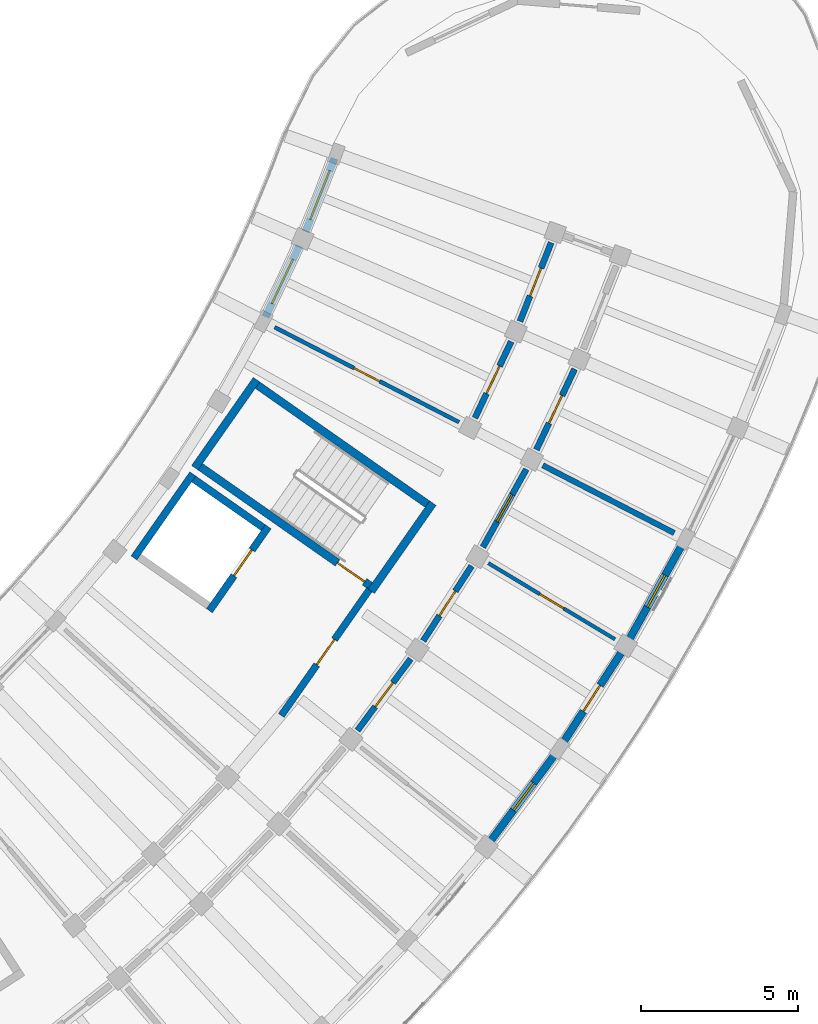
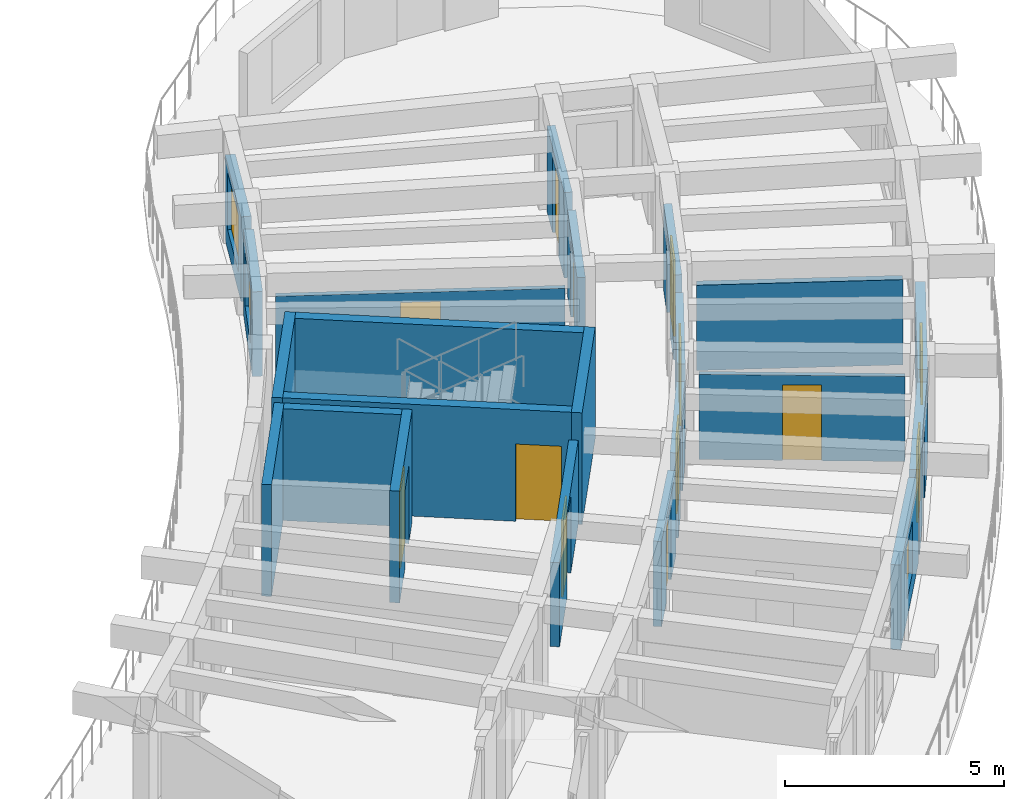
# One storey, part 54 of 81: 22 walls, 12 doors, 4 windows, 16 openings.
"""IFC4 building model written with IfcOpenShell, lengths in metres."""

from ifc_helpers import new_model, si_unit, direction, frame, frame_2d, origin, place, context, subcontext, project, spatial, rectangle, extrude, material, layer, layer_set, type_object, element, fill, save


model = new_model("IFC4")

# Units and contexts
model_context = context("Model", 3, precision=1e-05, world=origin(), true_north=direction((0.0, 1.0)))
body_context = subcontext(model_context, "Body", "Model", "MODEL_VIEW")
ifc_project = project(units=[si_unit("LENGTHUNIT", "METRE"), si_unit("AREAUNIT", "SQUARE_METRE"), si_unit("VOLUMEUNIT", "CUBIC_METRE"), si_unit("PLANEANGLEUNIT", "RADIAN"), si_unit("MASSUNIT", "GRAM", prefix="KILO")], contexts=[model_context])

# Site, building, storey
site_placement = place(None, origin())
site = spatial("IfcSite", under=ifc_project, at=site_placement, CompositionType="ELEMENT")
building_placement = place(site_placement, origin())
building = spatial("IfcBuilding", under=site, at=building_placement, Name="Tanwirah Colonnade Gardens", CompositionType="ELEMENT")
storey_placement = place(building_placement, frame((0.0, 0.0, 18.919921875)))
storey = spatial("IfcBuildingStorey", under=building, at=storey_placement, Name="L05", CompositionType="ELEMENT", Elevation=18.919921875)

# Wall, opening, window
ifc_material_1 = material(Name="Limestone architectural precast concrete C40/50", Category="masonry")
ifc_layer_1 = layer(ifc_material_1, 0.239990234375)
ifc_layer_set_1 = layer_set([ifc_layer_1], Name="Limestone architectural precast concrete C40/50")
wall_type_1 = type_object("IfcWallType", Name="EW-PC240", PredefinedType="SOLIDWALL", material=ifc_layer_set_1)
wall_1_placement = place(storey_placement, frame((167.75341796875, 27.6298828125, 0.0), z_axis=(0.0, 0.0, 1.0), x_axis=(0.596611432616, 0.802530247699, 0.0)))
wall_1 = element("IfcWall", 1, at=wall_1_placement, inside=storey, type_object=wall_type_1, Name="Block D L05 OUT Precast Facade Wall 10", PredefinedType="SOLIDWALL", context=body_context, shape_type="SweptSolid", body=[
    extrude(rectangle(XDim=3.48681640625, YDim=0.239990234375, at=frame_2d((1.743408203125, 0.0))), origin(), (0.0, 0.0, 1.0), 2.35498046875),
])
opening_1_placement = place(wall_1_placement, frame((1.203369140625, 0.0, 0.550048828125)))
opening_1 = element("IfcOpeningElement", 2, at=opening_1_placement, cuts=wall_1, Name="Opening WIN-T15", PredefinedType="OPENING", context=body_context, shape_type="SweptSolid", body=[
    extrude(rectangle(XDim=1.080078125, YDim=1.449951171875, at=frame_2d((0.5400390625, 0.72509765625))), frame((0.0, 0.1298828125, 0.0), z_axis=(0.0, -1.0, 0.0), x_axis=(1.0, 0.0, 0.0)), (0.0, 0.0, 1.0), 0.260009765625),
])
ifc_material_2 = material(Name="Thermally broken bronze aluminium and solar low-E double glazing", Category="aluminium")
window_type_1 = type_object("IfcWindowType", Name="WIN-T15", PartitioningType="SINGLE_PANEL", PredefinedType="WINDOW", material=ifc_material_2)
window_1_placement = place(opening_1_placement, origin())
window_1 = element("IfcWindow", 3, at=window_1_placement, inside=storey, type_object=window_type_1, Name="Facade window D-L05-OUT-10", OverallHeight=1.449951171875, OverallWidth=1.080078125, PartitioningType="SINGLE_PANEL", PredefinedType="WINDOW", context=body_context, shape_type="SweptSolid", body=[
    extrude(rectangle(XDim=1.080078125, YDim=1.449951171875, at=frame_2d((0.5400390625, 0.72509765625))), frame((0.0, 0.030029296875, 0.0), z_axis=(0.0, -1.0, 0.0), x_axis=(1.0, 0.0, 0.0)), (0.0, 0.0, 1.0), 0.06005859375),
])
fill(opening_1, window_1)

# Wall, opening, door
wall_2_placement = place(storey_placement, frame((170.015869140625, 30.691162109375, 0.0), z_axis=(0.0, 0.0, 1.0), x_axis=(0.542833164741, 0.839840553472, 0.0)))
wall_2 = element("IfcWall", 4, at=wall_2_placement, inside=storey, type_object=wall_type_1, Name="Block D L05 OUT Precast Facade Wall 11", PredefinedType="SOLIDWALL", context=body_context, shape_type="SweptSolid", body=[
    extrude(rectangle(XDim=3.48681640625, YDim=0.239990234375, at=frame_2d((1.743408203125, 0.0))), origin(), (0.0, 0.0, 1.0), 2.35498046875),
])
opening_2_placement = place(wall_2_placement, frame((1.25341796875, 0.0, 0.0)))
opening_2 = element("IfcOpeningElement", 5, at=opening_2_placement, cuts=wall_2, Name="Opening L05-ED201", PredefinedType="OPENING", context=body_context, shape_type="SweptSolid", body=[
    extrude(rectangle(XDim=0.97998046875, YDim=2.1201171875, at=frame_2d((0.489990234375, 1.06005859375))), frame((0.0, 0.1298828125, 0.0), z_axis=(0.0, -1.0, 0.0), x_axis=(1.0, 0.0, 0.0)), (0.0, 0.0, 1.0), 0.260009765625),
])
ifc_material_3 = material(Name="Bronze aluminium glazed balcony door", Category="aluminium")
door_type_1 = type_object("IfcDoorType", Name="ED-BAL098", OperationType="NOTDEFINED", PredefinedType="DOOR", material=ifc_material_3)
door_1_placement = place(opening_2_placement, origin())
door_1 = element("IfcDoor", 6, at=door_1_placement, inside=storey, type_object=door_type_1, Name="Balcony glazed door L05-ED201", OperationType="SINGLE_SWING_LEFT", OverallHeight=2.1201171875, OverallWidth=0.97998046875, PredefinedType="DOOR", context=body_context, shape_type="SweptSolid", body=[
    extrude(rectangle(XDim=0.97998046875, YDim=2.1201171875, at=frame_2d((0.489990234375, 1.06005859375))), frame((0.0, 0.02490234375, 0.0), z_axis=(0.0, -1.0, 0.0), x_axis=(1.0, 0.0, 0.0)), (0.0, 0.0, 1.0), 0.050048828125),
])
fill(opening_2, door_1)

# Wall, opening, window
wall_3_placement = place(storey_placement, frame((172.166015625, 34.0478515625, 0.0), z_axis=(0.0, 0.0, 1.0), x_axis=(0.486706738221, 0.87356542455, 0.0)))
wall_3 = element("IfcWall", 7, at=wall_3_placement, inside=storey, type_object=wall_type_1, Name="Block D L05 OUT Precast Facade Wall 12", PredefinedType="SOLIDWALL", context=body_context, shape_type="SweptSolid", body=[
    extrude(rectangle(XDim=3.48681640625, YDim=0.239990234375, at=frame_2d((1.743408203125, 0.0))), origin(), (0.0, 0.0, 1.0), 2.35498046875),
])
opening_3_placement = place(wall_3_placement, frame((1.163330078125, 0.0, 0.550048828125)))
opening_3 = element("IfcOpeningElement", 8, at=opening_3_placement, cuts=wall_3, Name="Opening WIN-U01", PredefinedType="OPENING", context=body_context, shape_type="SweptSolid", body=[
    extrude(rectangle(XDim=1.159912109375, YDim=1.485107421875, at=frame_2d((0.580078125, 0.74267578125))), frame((0.0, 0.1298828125, 0.0), z_axis=(0.0, -1.0, 0.0), x_axis=(1.0, 0.0, 0.0)), (0.0, 0.0, 1.0), 0.260009765625),
])
window_type_2 = type_object("IfcWindowType", Name="WIN-U01", PartitioningType="DOUBLE_PANEL_VERTICAL", PredefinedType="WINDOW", material=ifc_material_2)
window_2_placement = place(opening_3_placement, origin())
window_2 = element("IfcWindow", 9, at=window_2_placement, inside=storey, type_object=window_type_2, Name="Facade window D-L05-OUT-12", OverallHeight=1.485107421875, OverallWidth=1.159912109375, PartitioningType="SINGLE_PANEL", PredefinedType="WINDOW", context=body_context, shape_type="SweptSolid", body=[
    extrude(rectangle(XDim=1.159912109375, YDim=1.485107421875, at=frame_2d((0.580078125, 0.74267578125))), frame((0.0, 0.030029296875, 0.0), z_axis=(0.0, -1.0, 0.0), x_axis=(1.0, 0.0, 0.0)), (0.0, 0.0, 1.0), 0.06005859375),
])
fill(opening_3, window_2)

wall_4_placement = place(storey_placement, frame((160.58544921875, 44.2919921875, 0.0), z_axis=(0.0, 0.0, 1.0), x_axis=(0.428514676045, 0.903534820809, 0.0)))
wall_4 = element("IfcWall", 10, at=wall_4_placement, inside=storey, type_object=wall_type_1, Name="Block D L05 IN Precast Facade Wall 13", PredefinedType="SOLIDWALL", context=body_context, shape_type="SweptSolid", body=[
    extrude(rectangle(XDim=2.498779296875, YDim=0.239990234375, at=frame_2d((1.24951171875, 0.0))), origin(), (0.0, 0.0, 1.0), 2.35498046875),
])
opening_4_placement = place(wall_4_placement, frame((0.469482421875, 0.0, 0.550048828125)))
opening_4 = element("IfcOpeningElement", 11, at=opening_4_placement, cuts=wall_4, Name="Opening WIN-U11", PredefinedType="OPENING", context=body_context, shape_type="SweptSolid", body=[
    extrude(rectangle(XDim=1.56005859375, YDim=1.510009765625, at=frame_2d((0.780029296875, 0.7548828125))), frame((0.0, 0.1298828125, 0.0), z_axis=(0.0, -1.0, 0.0), x_axis=(1.0, 0.0, 0.0)), (0.0, 0.0, 1.0), 0.260009765625),
])
window_type_3 = type_object("IfcWindowType", Name="WIN-U11", PartitioningType="DOUBLE_PANEL_VERTICAL", PredefinedType="WINDOW", material=ifc_material_2)
window_3_placement = place(opening_4_placement, origin())
window_3 = element("IfcWindow", 12, at=window_3_placement, inside=storey, type_object=window_type_3, Name="Facade window D-L05-IN-13", OverallHeight=1.510009765625, OverallWidth=1.56005859375, PartitioningType="SINGLE_PANEL", PredefinedType="WINDOW", context=body_context, shape_type="SweptSolid", body=[
    extrude(rectangle(XDim=1.56005859375, YDim=1.510009765625, at=frame_2d((0.780029296875, 0.7548828125))), frame((0.0, 0.030029296875, 0.0), z_axis=(0.0, -1.0, 0.0), x_axis=(1.0, 0.0, 0.0)), (0.0, 0.0, 1.0), 0.06005859375),
])
fill(opening_4, window_3)

wall_5_placement = place(storey_placement, frame((161.85546875, 47.008056640625, 0.0), z_axis=(0.0, 0.0, 1.0), x_axis=(0.368558756085, 0.9296044553, 0.0)))
wall_5 = element("IfcWall", 13, at=wall_5_placement, inside=storey, type_object=wall_type_1, Name="Block D L05 IN Precast Facade Wall 14", PredefinedType="SOLIDWALL", context=body_context, shape_type="SweptSolid", body=[
    extrude(rectangle(XDim=2.49853515625, YDim=0.239990234375, at=frame_2d((1.249267578125, 0.0))), origin(), (0.0, 0.0, 1.0), 2.35498046875),
])
opening_5_placement = place(wall_5_placement, frame((0.409423828125, 0.0, 0.550048828125)))
opening_5 = element("IfcOpeningElement", 14, at=opening_5_placement, cuts=wall_5, Name="Opening WIN-U14", PredefinedType="OPENING", context=body_context, shape_type="SweptSolid", body=[
    extrude(rectangle(XDim=1.679931640625, YDim=1.5849609375, at=frame_2d((0.83984375, 0.79248046875))), frame((0.0, 0.1298828125, 0.0), z_axis=(0.0, -1.0, 0.0), x_axis=(1.0, 0.0, 0.0)), (0.0, 0.0, 1.0), 0.260009765625),
])
window_type_4 = type_object("IfcWindowType", Name="WIN-U14", PartitioningType="DOUBLE_PANEL_VERTICAL", PredefinedType="WINDOW", material=ifc_material_2)
window_4_placement = place(opening_5_placement, origin())
window_4 = element("IfcWindow", 15, at=window_4_placement, inside=storey, type_object=window_type_4, Name="Facade window D-L05-IN-14", OverallHeight=1.5849609375, OverallWidth=1.679931640625, PartitioningType="SINGLE_PANEL", PredefinedType="WINDOW", context=body_context, shape_type="SweptSolid", body=[
    extrude(rectangle(XDim=1.679931640625, YDim=1.5849609375, at=frame_2d((0.83984375, 0.79248046875))), frame((0.0, 0.030029296875, 0.0), z_axis=(0.0, -1.0, 0.0), x_axis=(1.0, 0.0, 0.0)), (0.0, 0.0, 1.0), 0.06005859375),
])
fill(opening_5, window_4)

# Wall, opening, door
ifc_material_4 = material(Name="Precast concrete C40/50", Category="concrete")
ifc_layer_2 = layer(ifc_material_4, 0.195068359375)
ifc_layer_set_2 = layer_set([ifc_layer_2], Name="Precast concrete C40/50")
wall_type_2 = type_object("IfcWallType", Name="IW-CORR195", PredefinedType="PARTITIONING", material=ifc_layer_set_2)
wall_6_placement = place(storey_placement, frame((163.5087890625, 31.134033203125, 0.0), z_axis=(0.0, 0.0, 1.0), x_axis=(0.596552136601, 0.802574325727, 0.0)))
wall_6 = element("IfcWall", 16, at=wall_6_placement, inside=storey, type_object=wall_type_2, Name="Block D L05 OUT Corridor Wall 10", PredefinedType="PARTITIONING", context=body_context, shape_type="SweptSolid", body=[
    extrude(rectangle(XDim=2.8369140625, YDim=0.195068359375, at=frame_2d((1.41845703125, 0.0))), origin(), (0.0, 0.0, 1.0), 2.3701171875),
])
opening_6_placement = place(wall_6_placement, frame((0.943603515625, 0.0, 0.0)))
opening_6 = element("IfcOpeningElement", 17, at=opening_6_placement, cuts=wall_6, Name="Opening L05-AD1857", PredefinedType="OPENING", context=body_context, shape_type="SweptSolid", body=[
    extrude(rectangle(XDim=0.949951171875, YDim=2.1298828125, at=frame_2d((0.47509765625, 1.06494140625))), frame((0.0, 0.107421875, 0.0), z_axis=(0.0, -1.0, 0.0), x_axis=(1.0, 0.0, 0.0)), (0.0, 0.0, 1.0), 0.215087890625),
])
ifc_material_5 = material(Name="Solid oak fire-resisting apartment entrance door")
door_type_2 = type_object("IfcDoorType", Name="ID-FLT095", OperationType="NOTDEFINED", PredefinedType="DOOR", material=ifc_material_5)
door_2_placement = place(opening_6_placement, origin())
door_2 = element("IfcDoor", 18, at=door_2_placement, inside=storey, type_object=door_type_2, Name="Apartment corridor door L05-AD1857", OperationType="SINGLE_SWING_RIGHT", OverallHeight=2.1298828125, OverallWidth=0.949951171875, PredefinedType="DOOR", context=body_context, shape_type="SweptSolid", body=[
    extrude(rectangle(XDim=0.949951171875, YDim=2.1298828125, at=frame_2d((0.47509765625, 1.06494140625))), frame((0.0, 0.02490234375, 0.0), z_axis=(0.0, -1.0, 0.0), x_axis=(1.0, 0.0, 0.0)), (0.0, 0.0, 1.0), 0.050048828125),
])
fill(opening_6, door_2)

wall_7_placement = place(storey_placement, frame((165.60009765625, 33.985595703125, 0.0), z_axis=(0.0, 0.0, 1.0), x_axis=(0.542787304957, 0.83987019329, 0.0)))
wall_7 = element("IfcWall", 19, at=wall_7_placement, inside=storey, type_object=wall_type_2, Name="Block D L05 OUT Corridor Wall 11", PredefinedType="PARTITIONING", context=body_context, shape_type="SweptSolid", body=[
    extrude(rectangle(XDim=2.8369140625, YDim=0.195068359375, at=frame_2d((1.41845703125, 0.0))), origin(), (0.0, 0.0, 1.0), 2.3701171875),
])
opening_7_placement = place(wall_7_placement, frame((0.95361328125, 0.0, 0.0)))
opening_7 = element("IfcOpeningElement", 20, at=opening_7_placement, cuts=wall_7, Name="Opening L05-AD1858", PredefinedType="OPENING", context=body_context, shape_type="SweptSolid", body=[
    extrude(rectangle(XDim=0.929931640625, YDim=2.1201171875, at=frame_2d((0.46484375, 1.06005859375))), frame((0.0, 0.107421875, 0.0), z_axis=(0.0, -1.0, 0.0), x_axis=(1.0, 0.0, 0.0)), (0.0, 0.0, 1.0), 0.215087890625),
])
door_type_3 = type_object("IfcDoorType", Name="ID-FLT093", OperationType="NOTDEFINED", PredefinedType="DOOR", material=ifc_material_5)
door_3_placement = place(opening_7_placement, origin())
door_3 = element("IfcDoor", 21, at=door_3_placement, inside=storey, type_object=door_type_3, Name="Apartment corridor door L05-AD1858", OperationType="SINGLE_SWING_LEFT", OverallHeight=2.1201171875, OverallWidth=0.929931640625, PredefinedType="DOOR", context=body_context, shape_type="SweptSolid", body=[
    extrude(rectangle(XDim=0.929931640625, YDim=2.1201171875, at=frame_2d((0.46484375, 1.06005859375))), frame((0.0, 0.02490234375, 0.0), z_axis=(0.0, -1.0, 0.0), x_axis=(1.0, 0.0, 0.0)), (0.0, 0.0, 1.0), 0.050048828125),
])
fill(opening_7, door_3)

wall_8_placement = place(storey_placement, frame((167.500244140625, 36.968017578125, 0.0), z_axis=(0.0, 0.0, 1.0), x_axis=(0.48673124079, 0.8735517725, 0.0)))
wall_8 = element("IfcWall", 22, at=wall_8_placement, inside=storey, type_object=wall_type_2, Name="Block D L05 OUT Corridor Wall 12", PredefinedType="PARTITIONING", context=body_context, shape_type="SweptSolid", body=[
    extrude(rectangle(XDim=2.8369140625, YDim=0.195068359375, at=frame_2d((1.41845703125, 0.0))), origin(), (0.0, 0.0, 1.0), 2.3701171875),
])
opening_8_placement = place(wall_8_placement, frame((0.923583984375, 0.0, 0.0)))
opening_8 = element("IfcOpeningElement", 23, at=opening_8_placement, cuts=wall_8, Name="Opening L05-AD1860", PredefinedType="OPENING", context=body_context, shape_type="SweptSolid", body=[
    extrude(rectangle(XDim=0.989990234375, YDim=2.159912109375, at=frame_2d((0.4951171875, 1.080078125))), frame((0.0, 0.107421875, 0.0), z_axis=(0.0, -1.0, 0.0), x_axis=(1.0, 0.0, 0.0)), (0.0, 0.0, 1.0), 0.215087890625),
])
door_type_4 = type_object("IfcDoorType", Name="ID-FLT099", OperationType="NOTDEFINED", PredefinedType="DOOR", material=ifc_material_5)
door_4_placement = place(opening_8_placement, origin())
door_4 = element("IfcDoor", 24, at=door_4_placement, inside=storey, type_object=door_type_4, Name="Apartment corridor door L05-AD1860", OperationType="SINGLE_SWING_RIGHT", OverallHeight=2.159912109375, OverallWidth=0.989990234375, PredefinedType="DOOR", context=body_context, shape_type="SweptSolid", body=[
    extrude(rectangle(XDim=0.989990234375, YDim=2.159912109375, at=frame_2d((0.4951171875, 1.080078125))), frame((0.0, 0.02490234375, 0.0), z_axis=(0.0, -1.0, 0.0), x_axis=(1.0, 0.0, 0.0)), (0.0, 0.0, 1.0), 0.050048828125),
])
fill(opening_8, door_4)

wall_9_placement = place(storey_placement, frame((169.201416015625, 40.068115234375, 0.0), z_axis=(0.0, 0.0, 1.0), x_axis=(0.428493237107, 0.903544988229, 0.0)))
wall_9 = element("IfcWall", 25, at=wall_9_placement, inside=storey, type_object=wall_type_2, Name="Block D L05 OUT Corridor Wall 13", PredefinedType="PARTITIONING", context=body_context, shape_type="SweptSolid", body=[
    extrude(rectangle(XDim=2.8369140625, YDim=0.195068359375, at=frame_2d((1.41845703125, 0.0))), origin(), (0.0, 0.0, 1.0), 2.3701171875),
])
opening_9_placement = place(wall_9_placement, frame((0.93359375, 0.0, 0.0)))
opening_9 = element("IfcOpeningElement", 26, at=opening_9_placement, cuts=wall_9, Name="Opening L05-AD1862", PredefinedType="OPENING", context=body_context, shape_type="SweptSolid", body=[
    extrude(rectangle(XDim=0.969970703125, YDim=2.14990234375, at=frame_2d((0.48486328125, 1.074951171875))), frame((0.0, 0.107421875, 0.0), z_axis=(0.0, -1.0, 0.0), x_axis=(1.0, 0.0, 0.0)), (0.0, 0.0, 1.0), 0.215087890625),
])
door_type_5 = type_object("IfcDoorType", Name="ID-FLT097", OperationType="NOTDEFINED", PredefinedType="DOOR", material=ifc_material_5)
door_5_placement = place(opening_9_placement, origin())
door_5 = element("IfcDoor", 27, at=door_5_placement, inside=storey, type_object=door_type_5, Name="Apartment corridor door L05-AD1862", OperationType="SINGLE_SWING_LEFT", OverallHeight=2.14990234375, OverallWidth=0.969970703125, PredefinedType="DOOR", context=body_context, shape_type="SweptSolid", body=[
    extrude(rectangle(XDim=0.969970703125, YDim=2.14990234375, at=frame_2d((0.48486328125, 1.074951171875))), frame((0.0, 0.02490234375, 0.0), z_axis=(0.0, -1.0, 0.0), x_axis=(1.0, 0.0, 0.0)), (0.0, 0.0, 1.0), 0.050048828125),
])
fill(opening_9, door_5)

wall_10_placement = place(storey_placement, frame((167.24560546875, 41.075439453125, 0.0), z_axis=(0.0, 0.0, 1.0), x_axis=(0.428550049392, 0.903518043631, 0.0)))
wall_10 = element("IfcWall", 28, at=wall_10_placement, inside=storey, type_object=wall_type_2, Name="Block D L05 IN Corridor Wall 13", PredefinedType="PARTITIONING", context=body_context, shape_type="SweptSolid", body=[
    extrude(rectangle(XDim=2.69287109375, YDim=0.195068359375, at=frame_2d((1.346435546875, 0.0))), origin(), (0.0, 0.0, 1.0), 2.3701171875),
])
opening_10_placement = place(wall_10_placement, frame((0.861572265625, 0.0, 0.0)))
opening_10 = element("IfcOpeningElement", 29, at=opening_10_placement, cuts=wall_10, Name="Opening L05-AD1863", PredefinedType="OPENING", context=body_context, shape_type="SweptSolid", body=[
    extrude(rectangle(XDim=0.969970703125, YDim=2.14990234375, at=frame_2d((0.48486328125, 1.074951171875))), frame((0.0, 0.107421875, 0.0), z_axis=(0.0, -1.0, 0.0), x_axis=(1.0, 0.0, 0.0)), (0.0, 0.0, 1.0), 0.215087890625),
])
door_6_placement = place(opening_10_placement, origin())
door_6 = element("IfcDoor", 30, at=door_6_placement, inside=storey, type_object=door_type_5, Name="Apartment corridor door L05-AD1863", OperationType="SINGLE_SWING_RIGHT", OverallHeight=2.14990234375, OverallWidth=0.969970703125, PredefinedType="DOOR", context=body_context, shape_type="SweptSolid", body=[
    extrude(rectangle(XDim=0.969970703125, YDim=2.14990234375, at=frame_2d((0.48486328125, 1.074951171875))), frame((0.0, 0.02490234375, 0.0), z_axis=(0.0, -1.0, 0.0), x_axis=(1.0, 0.0, 0.0)), (0.0, 0.0, 1.0), 0.050048828125),
])
fill(opening_10, door_6)

wall_11_placement = place(storey_placement, frame((168.678466796875, 44.150146484375, 0.0), z_axis=(0.0, 0.0, 1.0), x_axis=(0.368528468945, 0.929616462622, 0.0)))
wall_11 = element("IfcWall", 31, at=wall_11_placement, inside=storey, type_object=wall_type_2, Name="Block D L05 IN Corridor Wall 14", PredefinedType="PARTITIONING", context=body_context, shape_type="SweptSolid", body=[
    extrude(rectangle(XDim=2.69287109375, YDim=0.195068359375, at=frame_2d((1.346435546875, 0.0))), origin(), (0.0, 0.0, 1.0), 2.3701171875),
])
opening_11_placement = place(wall_11_placement, frame((0.87158203125, 0.0, 0.0)))
opening_11 = element("IfcOpeningElement", 32, at=opening_11_placement, cuts=wall_11, Name="Opening L05-AD1865", PredefinedType="OPENING", context=body_context, shape_type="SweptSolid", body=[
    extrude(rectangle(XDim=0.949951171875, YDim=2.1298828125, at=frame_2d((0.47509765625, 1.06494140625))), frame((0.0, 0.107421875, 0.0), z_axis=(0.0, -1.0, 0.0), x_axis=(1.0, 0.0, 0.0)), (0.0, 0.0, 1.0), 0.215087890625),
])
door_7_placement = place(opening_11_placement, origin())
door_7 = element("IfcDoor", 33, at=door_7_placement, inside=storey, type_object=door_type_2, Name="Apartment corridor door L05-AD1865", OperationType="SINGLE_SWING_LEFT", OverallHeight=2.1298828125, OverallWidth=0.949951171875, PredefinedType="DOOR", context=body_context, shape_type="SweptSolid", body=[
    extrude(rectangle(XDim=0.949951171875, YDim=2.1298828125, at=frame_2d((0.47509765625, 1.06494140625))), frame((0.0, 0.02490234375, 0.0), z_axis=(0.0, -1.0, 0.0), x_axis=(1.0, 0.0, 0.0)), (0.0, 0.0, 1.0), 0.050048828125),
])
fill(opening_11, door_7)

# Wall
ifc_layer_3 = layer(ifc_material_4, 0.175048828125)
ifc_layer_set_3 = layer_set([ifc_layer_3], Name="Precast concrete C40/50")
wall_type_3 = type_object("IfcWallType", Name="IW-DEM175", PredefinedType="PARTITIONING", material=ifc_layer_set_3)
wall_12_placement = place(storey_placement, frame((169.406982421875, 39.56884765625, 0.0), z_axis=(0.0, 0.0, 1.0), x_axis=(0.889013002038, -0.457881952262, 0.0)))
element("IfcWall", 34, at=wall_12_placement, inside=storey, type_object=wall_type_3, Name="Block D L05 Radial Partition 12", PredefinedType="PARTITIONING", context=body_context, shape_type="SweptSolid", body=[
    extrude(rectangle(XDim=4.7001953125, YDim=0.175048828125, at=frame_2d((2.35009765625, 0.0))), origin(), (0.0, 0.0, 1.0), 2.3701171875),
])

# Wall, opening, door
ifc_material_6 = material(Name="Autoclaved aerated masonry blockwork", Category="masonry")
ifc_layer_4 = layer(ifc_material_6, 0.219970703125)
ifc_layer_set_4 = layer_set([ifc_layer_4], Name="Autoclaved aerated masonry blockwork")
wall_type_4 = type_object("IfcWallType", Name="IW-FFL220", PredefinedType="PARTITIONING", material=ifc_layer_set_4)
wall_13_placement = place(storey_placement, frame((163.89501953125, 35.624267578125, 0.0), z_axis=(0.0, 0.0, 1.0), x_axis=(-0.573572687386, -0.819154669329, 0.0)))
wall_13 = element("IfcWall", 35, at=wall_13_placement, inside=storey, type_object=wall_type_4, Name="CORE-D2 L05 Enclosed Lobby Fire Wall", PredefinedType="PARTITIONING", context=body_context, shape_type="SweptSolid", body=[
    extrude(rectangle(XDim=4.900146484375, YDim=0.219970703125, at=frame_2d((2.4501953125, 0.0))), origin(), (0.0, 0.0, 1.0), 2.340087890625),
])
opening_12_placement = place(wall_13_placement, frame((1.949951171875, 0.0, 0.0)))
opening_12 = element("IfcOpeningElement", 36, at=opening_12_placement, cuts=wall_13, Name="Opening L05-LD205", PredefinedType="OPENING", context=body_context, shape_type="SweptSolid", body=[
    extrude(rectangle(XDim=0.97998046875, YDim=2.139892578125, at=frame_2d((0.489990234375, 1.06982421875))), frame((0.0, 0.119873046875, 0.0), z_axis=(0.0, -1.0, 0.0), x_axis=(1.0, 0.0, 0.0)), (0.0, 0.0, 1.0), 0.239990234375),
])
ifc_material_7 = material(Name="Acoustic fire-resisting lobby door")
door_type_6 = type_object("IfcDoorType", Name="ID-FFL098", OperationType="NOTDEFINED", PredefinedType="DOOR", material=ifc_material_7)
door_8_placement = place(opening_12_placement, origin())
door_8 = element("IfcDoor", 37, at=door_8_placement, inside=storey, type_object=door_type_6, Name="CORE-D2 L05 Lobby Fire Door L05-LD205", OperationType="SINGLE_SWING_RIGHT", OverallHeight=2.139892578125, OverallWidth=0.97998046875, PredefinedType="DOOR", context=body_context, shape_type="SweptSolid", body=[
    extrude(rectangle(XDim=0.97998046875, YDim=2.139892578125, at=frame_2d((0.489990234375, 1.06982421875))), frame((0.0, 0.02490234375, 0.0), z_axis=(0.0, -1.0, 0.0), x_axis=(1.0, 0.0, 0.0)), (0.0, 0.0, 1.0), 0.050048828125),
])
fill(opening_12, door_8)

ifc_material_8 = material(Name="Acoustic gypsum stud partition")
ifc_layer_5 = layer(ifc_material_8, 0.114990234375)
ifc_layer_set_5 = layer_set([ifc_layer_5], Name="Acoustic gypsum stud partition")
wall_type_5 = type_object("IfcWallType", Name="IW-INT115", PredefinedType="PARTITIONING", material=ifc_layer_set_5)
wall_14_placement = place(storey_placement, frame((167.6728515625, 36.456298828125, 0.0), z_axis=(0.0, 0.0, 1.0), x_axis=(0.857139805444, -0.515083831937, 0.0)))
wall_14 = element("IfcWall", 38, at=wall_14_placement, inside=storey, type_object=wall_type_5, Name="Block D L05 Radial Partition 11", PredefinedType="PARTITIONING", context=body_context, shape_type="SweptSolid", body=[
    extrude(rectangle(XDim=4.699951171875, YDim=0.114990234375, at=frame_2d((2.35009765625, 0.0))), origin(), (0.0, 0.0, 1.0), 2.3701171875),
])
opening_13_placement = place(wall_14_placement, frame((1.905029296875, 0.0, 0.0)))
opening_13 = element("IfcOpeningElement", 39, at=opening_13_placement, cuts=wall_14, Name="Opening L05-RD1859", PredefinedType="OPENING", context=body_context, shape_type="SweptSolid", body=[
    extrude(rectangle(XDim=0.889892578125, YDim=2.10009765625, at=frame_2d((0.44482421875, 1.050048828125))), frame((0.0, 0.0673828125, 0.0), z_axis=(0.0, -1.0, 0.0), x_axis=(1.0, 0.0, 0.0)), (0.0, 0.0, 1.0), 0.135009765625),
])
ifc_material_9 = material(Name="Painted hardwood bedroom door", Category="wood")
door_type_7 = type_object("IfcDoorType", Name="ID-RM089", OperationType="NOTDEFINED", PredefinedType="DOOR", material=ifc_material_9)
door_9_placement = place(opening_13_placement, origin())
door_9 = element("IfcDoor", 40, at=door_9_placement, inside=storey, type_object=door_type_7, Name="Internal apartment door L05-RD1859", OperationType="SINGLE_SWING_LEFT", OverallHeight=2.10009765625, OverallWidth=0.889892578125, PredefinedType="DOOR", context=body_context, shape_type="SweptSolid", body=[
    extrude(rectangle(XDim=0.889892578125, YDim=2.10009765625, at=frame_2d((0.44482421875, 1.050048828125))), frame((0.0, 0.02490234375, 0.0), z_axis=(0.0, -1.0, 0.0), x_axis=(1.0, 0.0, 0.0)), (0.0, 0.0, 1.0), 0.050048828125),
])
fill(opening_13, door_9)

ifc_material_10 = material(Name="Moisture-resistant gypsum stud partition")
ifc_layer_6 = layer(ifc_material_10, 0.125)
ifc_layer_set_6 = layer_set([ifc_layer_6], Name="Moisture-resistant gypsum stud partition")
wall_type_6 = type_object("IfcWallType", Name="IW-INT125", PredefinedType="PARTITIONING", material=ifc_layer_set_6)
wall_15_placement = place(storey_placement, frame((160.872314453125, 43.96435546875, 0.0), z_axis=(0.0, 0.0, 1.0), x_axis=(0.889022010753, -0.457864460727, 0.0)))
wall_15 = element("IfcWall", 41, at=wall_15_placement, inside=storey, type_object=wall_type_6, Name="Block D L05 Inner Radial Partition 12", PredefinedType="PARTITIONING", context=body_context, shape_type="SweptSolid", body=[
    extrude(rectangle(XDim=6.60009765625, YDim=0.125, at=frame_2d((3.300048828125, 0.0))), origin(), (0.0, 0.0, 1.0), 2.3701171875),
])
opening_14_placement = place(wall_15_placement, frame((2.844970703125, 0.0, 0.0)))
opening_14 = element("IfcOpeningElement", 42, at=opening_14_placement, cuts=wall_15, Name="Opening L05-RD1861", PredefinedType="OPENING", context=body_context, shape_type="SweptSolid", body=[
    extrude(rectangle(XDim=0.909912109375, YDim=2.10009765625, at=frame_2d((0.455078125, 1.050048828125))), frame((0.0, 0.072509765625, 0.0), z_axis=(0.0, -1.0, 0.0), x_axis=(1.0, 0.0, 0.0)), (0.0, 0.0, 1.0), 0.14501953125),
])
ifc_material_11 = material(Name="Painted hardwood internal room door", Category="wood")
door_type_8 = type_object("IfcDoorType", Name="ID-RM091", OperationType="NOTDEFINED", PredefinedType="DOOR", material=ifc_material_11)
door_10_placement = place(opening_14_placement, origin())
door_10 = element("IfcDoor", 43, at=door_10_placement, inside=storey, type_object=door_type_8, Name="Internal apartment door L05-RD1861", OperationType="SINGLE_SWING_LEFT", OverallHeight=2.10009765625, OverallWidth=0.909912109375, PredefinedType="DOOR", context=body_context, shape_type="SweptSolid", body=[
    extrude(rectangle(XDim=0.909912109375, YDim=2.10009765625, at=frame_2d((0.455078125, 1.050048828125))), frame((0.0, 0.02490234375, 0.0), z_axis=(0.0, -1.0, 0.0), x_axis=(1.0, 0.0, 0.0)), (0.0, 0.0, 1.0), 0.050048828125),
])
fill(opening_14, door_10)

# Walls
ifc_material_12 = material(Name="Concrete C45/55", Category="concrete")
ifc_layer_7 = layer(ifc_material_12, 0.25)
ifc_layer_set_7 = layer_set([ifc_layer_7], Name="Concrete C45/55")
wall_type_7 = type_object("IfcWallType", Name="SW-CORE250", PredefinedType="SHEAR", material=ifc_layer_set_7)
wall_16_placement = place(storey_placement, frame((165.732666015625, 38.335693359375, 0.0), z_axis=(0.0, 0.0, 1.0), x_axis=(-0.819153711596, 0.573574055182, 0.0)))
element("IfcWall", 44, at=wall_16_placement, inside=storey, type_object=wall_type_7, Name="CORE-D2 L05 Stair Shaft Shear Wall LEFT", PredefinedType="SHEAR", context=body_context, shape_type="SweptSolid", body=[
    extrude(rectangle(XDim=6.60009765625, YDim=0.25, at=frame_2d((3.300048828125, 0.0))), origin(), (0.0, 0.0, 1.0), 3.110107421875),
])
for number, where, z_axis, x_axis, name in (
    (45, (160.29541015625, 42.29541015625, 0.0), (0.0, 0.0, 1.0), (-0.573582112484, -0.819148069789, 0.0), "CORE-D2 L05 Stair Shaft Shear Wall FAR"),
    (46, (165.90673828125, 38.366455078125, 0.0), (0.0, 0.0, 1.0), (-0.573582112484, -0.819148069789, 0.0), "CORE-D2 L05 Stair Shaft Shear Wall NEAR"),
):
    element("IfcWall", number, at=place(storey_placement, frame(where, z_axis=z_axis, x_axis=x_axis)), inside=storey, type_object=wall_type_7, Name=name, PredefinedType="SHEAR", context=body_context, shape_type="SweptSolid", body=[
        extrude(rectangle(XDim=3.419921875, YDim=0.25, at=frame_2d((1.7099609375, 0.0))), origin(), (0.0, 0.0, 1.0), 3.110107421875),
    ])

# Wall, opening, door
wall_17_placement = place(storey_placement, frame((163.914306640625, 35.739013671875, 0.0), z_axis=(0.0, 0.0, 1.0), x_axis=(-0.819153711596, 0.573574055182, 0.0)))
wall_17 = element("IfcWall", 47, at=wall_17_placement, inside=storey, type_object=wall_type_7, Name="CORE-D2 L05 Stair Shaft Shear Wall RIGHT", PredefinedType="SHEAR", context=body_context, shape_type="SweptSolid", body=[
    extrude(rectangle(XDim=6.60009765625, YDim=0.25, at=frame_2d((3.300048828125, 0.0))), origin(), (0.0, 0.0, 1.0), 3.110107421875),
])
opening_15_placement = place(wall_17_placement, frame((0.219970703125, 0.0, 0.0)))
opening_15 = element("IfcOpeningElement", 48, at=opening_15_placement, cuts=wall_17, Name="Opening L05-SD195", PredefinedType="OPENING", context=body_context, shape_type="SweptSolid", body=[
    extrude(rectangle(XDim=1.050048828125, YDim=2.14990234375, at=frame_2d((0.52490234375, 1.074951171875))), frame((0.0, 0.135009765625, 0.0), z_axis=(0.0, -1.0, 0.0), x_axis=(1.0, 0.0, 0.0)), (0.0, 0.0, 1.0), 0.27001953125),
])
ifc_material_13 = material(Name="Steel fire-resisting stair enclosure door", Category="steel")
door_type_9 = type_object("IfcDoorType", Name="ID-ST105", OperationType="NOTDEFINED", PredefinedType="DOOR", material=ifc_material_13)
door_11_placement = place(opening_15_placement, origin())
door_11 = element("IfcDoor", 49, at=door_11_placement, inside=storey, type_object=door_type_9, Name="CORE-D2 L05 Stair Fire Door L05-SD195", OperationType="SINGLE_SWING_RIGHT", OverallHeight=2.14990234375, OverallWidth=1.050048828125, PredefinedType="DOOR", context=body_context, shape_type="SweptSolid", body=[
    extrude(rectangle(XDim=1.050048828125, YDim=2.14990234375, at=frame_2d((0.52490234375, 1.074951171875))), frame((0.0, 0.02490234375, 0.0), z_axis=(0.0, -1.0, 0.0), x_axis=(1.0, 0.0, 0.0)), (0.0, 0.0, 1.0), 0.050048828125),
])
fill(opening_15, door_11)

ifc_layer_8 = layer(ifc_material_12, 0.22998046875)
ifc_layer_set_8 = layer_set([ifc_layer_8], Name="Concrete C45/55")
wall_type_8 = type_object("IfcWallType", Name="SW-LIFT230", PredefinedType="SHEAR", material=ifc_layer_set_8)
wall_18_placement = place(storey_placement, frame((160.66845703125, 37.614990234375, 0.0), z_axis=(0.0, 0.0, 1.0), x_axis=(-0.573582966431, -0.819147471839, 0.0)))
wall_18 = element("IfcWall", 50, at=wall_18_placement, inside=storey, type_object=wall_type_8, Name="CORE-D2 L05 Lift Shaft Wall FRONT", PredefinedType="SHEAR", context=body_context, shape_type="SweptSolid", body=[
    extrude(rectangle(XDim=3.260009765625, YDim=0.22998046875, at=frame_2d((1.6298828125, 0.0))), origin(), (0.0, 0.0, 1.0), 3.110107421875),
])
opening_16_placement = place(wall_18_placement, frame((0.89990234375, 0.0, 0.0)))
opening_16 = element("IfcOpeningElement", 51, at=opening_16_placement, cuts=wall_18, Name="Opening L05-LD-PL-D2", PredefinedType="OPENING", context=body_context, shape_type="SweptSolid", body=[
    extrude(rectangle(XDim=1.0, YDim=2.14990234375, at=frame_2d((0.5, 1.074951171875))), frame((0.0, 0.125, 0.0), z_axis=(0.0, -1.0, 0.0), x_axis=(1.0, 0.0, 0.0)), (0.0, 0.0, 1.0), 0.25),
])
ifc_material_14 = material(Name="Bronze stainless steel sliding lift landing door", Category="steel")
door_type_10 = type_object("IfcDoorType", Name="LD-PS10", OperationType="DOUBLE_DOOR_SLIDING", PredefinedType="DOOR", material=ifc_material_14)
door_12_placement = place(opening_16_placement, origin())
door_12 = element("IfcDoor", 52, at=door_12_placement, inside=storey, type_object=door_type_10, Name="Lift PL-D2 L05 Sliding Landing Door", OperationType="DOUBLE_DOOR_SLIDING", OverallHeight=2.14990234375, OverallWidth=1.0, PredefinedType="DOOR", context=body_context, shape_type="SweptSolid", body=[
    extrude(rectangle(XDim=1.0, YDim=2.14990234375, at=frame_2d((0.5, 1.074951171875))), frame((0.0, 0.02490234375, 0.0), z_axis=(0.0, -1.0, 0.0), x_axis=(1.0, 0.0, 0.0)), (0.0, 0.0, 1.0), 0.050048828125),
])
fill(opening_16, door_12)

# Walls
wall_19_placement = place(storey_placement, frame((158.268310546875, 39.295654296875, 0.0), z_axis=(0.0, 0.0, 1.0), x_axis=(-0.573582966431, -0.819147471839, 0.0)))
element("IfcWall", 53, at=wall_19_placement, inside=storey, type_object=wall_type_8, Name="CORE-D2 L05 Lift Shaft Wall BACK", PredefinedType="SHEAR", context=body_context, shape_type="SweptSolid", body=[
    extrude(rectangle(XDim=3.260009765625, YDim=0.22998046875, at=frame_2d((1.6298828125, 0.0))), origin(), (0.0, 0.0, 1.0), 3.110107421875),
])
wall_20_placement = place(storey_placement, frame((160.50830078125, 37.5869140625, 0.0), z_axis=(0.0, 0.0, 1.0), x_axis=(-0.819189439894, 0.573523026186, 0.0)))
element("IfcWall", 54, at=wall_20_placement, inside=storey, type_object=wall_type_8, Name="CORE-D2 L05 Lift Shaft Wall SIDEA", PredefinedType="SHEAR", context=body_context, shape_type="SweptSolid", body=[
    extrude(rectangle(XDim=2.7001953125, YDim=0.22998046875, at=frame_2d((1.35009765625, 0.0))), origin(), (0.0, 0.0, 1.0), 3.110107421875),
])

save(model, "model.ifc")
